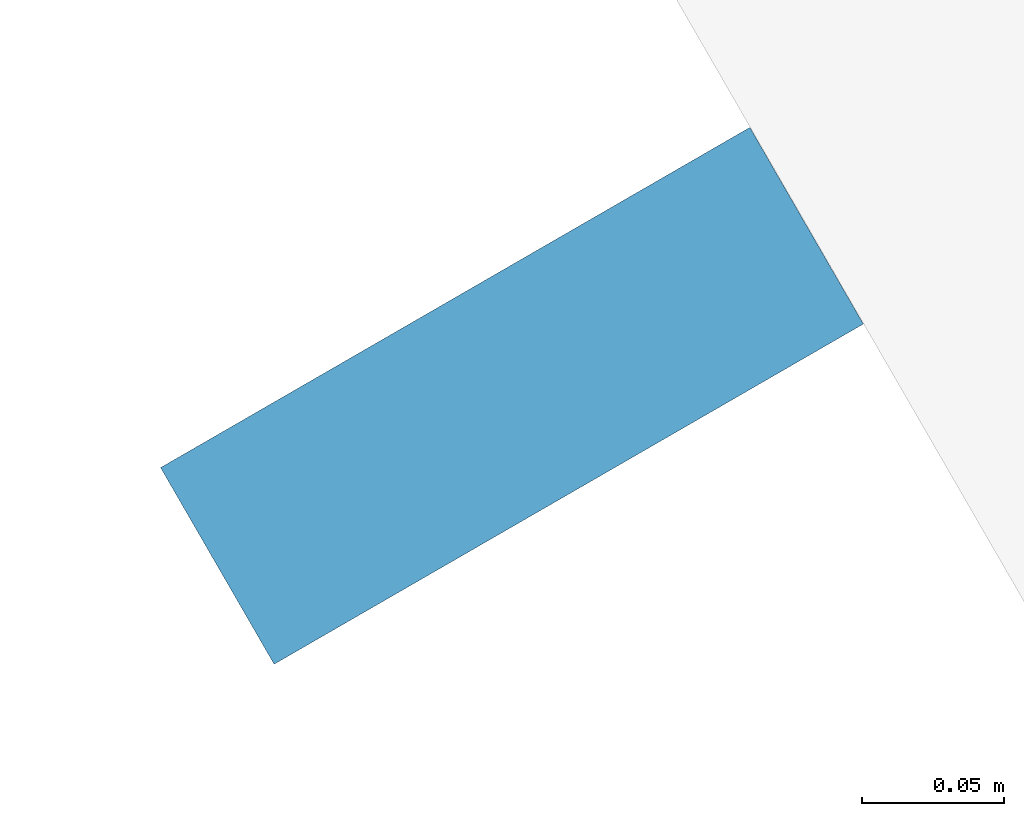
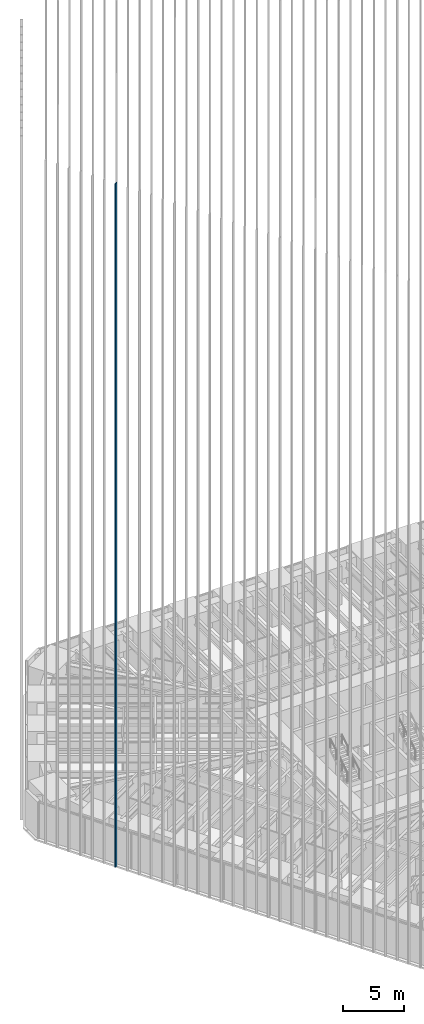
# One storey, part 61 of 256: 1 member, 1 element without a shape of its own.
"""IFC4 building model written with IfcOpenShell, lengths in metres."""

from ifc_helpers import new_model, si_unit, direction, frame, origin, origin_2d, place, context, subcontext, project, spatial, rectangle, extrude, material, material_profile, profile_set, type_object, element, aggregate, save


model = new_model("IFC4")

# Units and contexts
model_context = context("Model", 3, precision=1e-05, world=origin(), true_north=direction((0.0, 1.0)))
body_context = subcontext(model_context, "Body", "Model", "MODEL_VIEW")
ifc_project = project(units=[si_unit("LENGTHUNIT", "METRE"), si_unit("AREAUNIT", "SQUARE_METRE"), si_unit("VOLUMEUNIT", "CUBIC_METRE"), si_unit("PLANEANGLEUNIT", "RADIAN"), si_unit("MASSUNIT", "GRAM", prefix="KILO")], contexts=[model_context])

# Site, building, storey
site_placement = place(None, origin())
site = spatial("IfcSite", under=ifc_project, at=site_placement, CompositionType="ELEMENT")
building_placement = place(site_placement, origin())
building = spatial("IfcBuilding", under=site, at=building_placement, Name="Sandreach Pilgrim Tower", CompositionType="ELEMENT")
storey_placement = place(building_placement, frame((0.0, 0.0, 23.0)))
storey = spatial("IfcBuildingStorey", under=building, at=storey_placement, Name="L04", CompositionType="ELEMENT", Elevation=23.0)

# Curtain wall, member
ifc_material_1 = material(Name="Aluminium framed curtain wall", Category="aluminium")
curtain_wall_type = type_object("IfcCurtainWallType", Name="Hostel tower curtain wall", PredefinedType="NOTDEFINED", material=ifc_material_1)
curtain_wall_placement = place(storey_placement, origin())
curtain_wall = element("IfcCurtainWall", 1, at=curtain_wall_placement, inside=storey, type_object=curtain_wall_type, Name="CW-1 L04 SW", PredefinedType="NOTDEFINED")
ifc_material_2 = material(Name="Extruded terracotta on aluminium core", Category="masonry")
ifc_material_profile = material_profile(ifc_material_2, rectangle(XDim=0.080078125, YDim=0.239990234375, at=origin_2d()), Name="TBW 80X240")
ifc_profile_set = profile_set([ifc_material_profile], Name="Extruded terracotta on aluminium core")
member_type = type_object("IfcMemberType", Name="Terracotta baguette west", PredefinedType="USERDEFINED", material=ifc_profile_set)
member_placement = place(storey_placement, frame((-27.18896484375, -1.644775390625, 0.0), z_axis=(0.0, 0.0, 1.0), x_axis=(-0.5, 0.866025403784, 0.0)))
member = element("IfcMember", 2, at=member_placement, type_object=member_type, Name="Baguette Z1 SW29", ObjectType="BAGUETTE", PredefinedType="USERDEFINED", context=body_context, shape_type="SweptSolid", body=[
    extrude(rectangle(XDim=0.080078125, YDim=0.239990234375, at=origin_2d()), origin(), (0.0, 0.0, 1.0), 68.239990234375),
])
aggregate(curtain_wall, [member])

save(model, "model.ifc")
